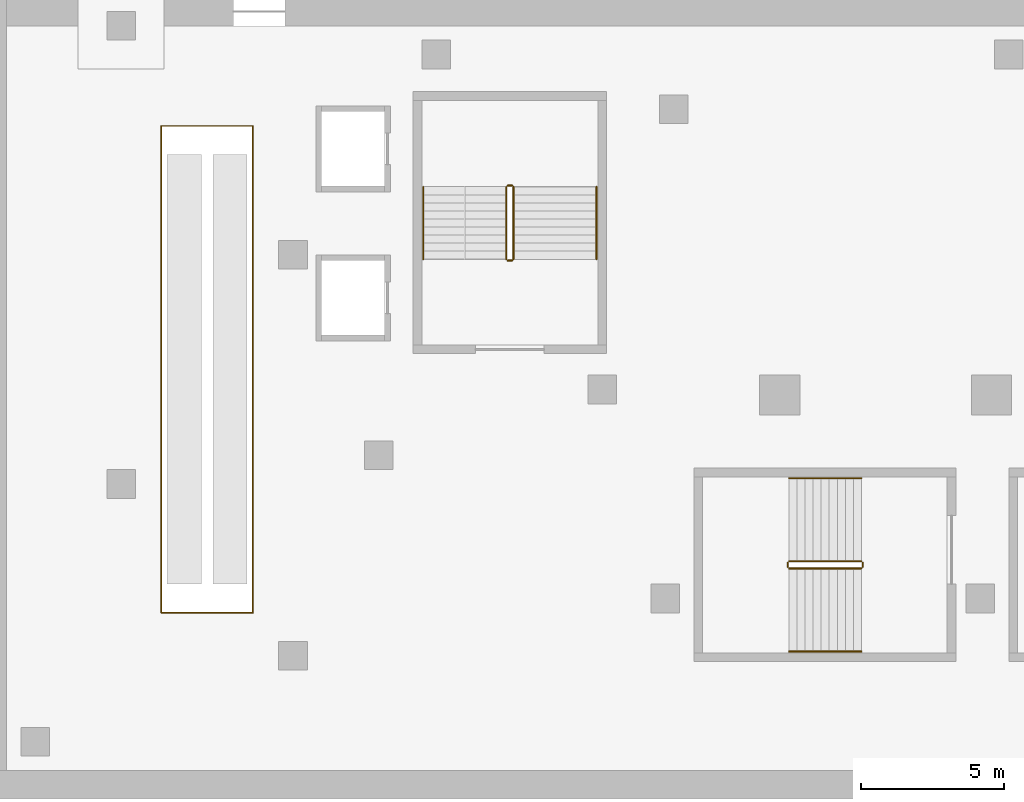
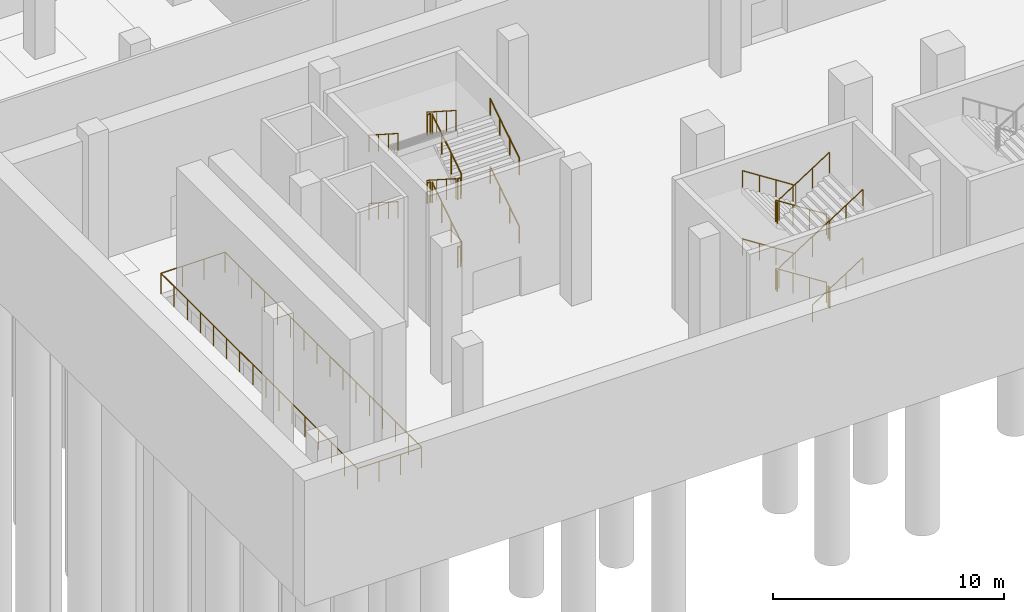
# One storey, part 11 of 15: 25 railings.
"""IFC4 building model written with IfcOpenShell, lengths in metres."""

from ifc_helpers import new_model, si_unit, direction, frame, origin, origin_2d, place, context, subcontext, project, spatial, circle, extrude, material, type_object, element, save


model = new_model("IFC4")

# Units and contexts
model_context = context("Model", 3, precision=1e-05, world=origin(), true_north=direction((0.0, 1.0)))
body_context = subcontext(model_context, "Body", "Model", "MODEL_VIEW")
ifc_project = project(units=[si_unit("LENGTHUNIT", "METRE"), si_unit("AREAUNIT", "SQUARE_METRE"), si_unit("VOLUMEUNIT", "CUBIC_METRE"), si_unit("PLANEANGLEUNIT", "RADIAN"), si_unit("MASSUNIT", "GRAM", prefix="KILO")], contexts=[model_context])

# Site, building, storey
site_placement = place(None, origin())
site = spatial("IfcSite", under=ifc_project, at=site_placement, CompositionType="ELEMENT")
building_placement = place(site_placement, origin())
building = spatial("IfcBuilding", under=site, at=building_placement, Name="Wharfspan Tower", CompositionType="ELEMENT")
storey_placement = place(building_placement, frame((0.0, 0.0, -7.199951)))
storey = spatial("IfcBuildingStorey", under=building, at=storey_placement, Name="B1", CompositionType="ELEMENT", Elevation=-7.199951)

# Railings
ifc_material = material(Name="Steel S355J2", Category="steel")
railing_type_1 = type_object("IfcRailingType", Name="Podium guard 1100", PredefinedType="GUARDRAIL", material=ifc_material)
railing_1_placement = place(storey_placement, frame((14.850098, -27.699951, 0.179932)))
element("IfcRailing", 1, at=railing_1_placement, inside=storey, type_object=railing_type_1, Name="B1 SB1 stair guard 1", PredefinedType="GUARDRAIL", context=body_context, shape_type="SweptSolid", body=[
    extrude(circle(Radius=0.023926, at=origin_2d()), frame((0.0, 0.0, 1.076172), z_axis=(-0.841163, 0.0, 0.540782), x_axis=(0.0, -1.0, 0.0)), (0.0, 0.0, 1.0), 2.99585),
    extrude(circle(Radius=0.020996, at=origin_2d()), origin(), (0.0, 0.0, 1.0), 1.052002),
    extrude(circle(Radius=0.020996, at=origin_2d()), frame((-0.840088, 0.0, 0.540039)), (0.0, 0.0, 1.0), 1.052002),
    extrude(circle(Radius=0.020996, at=origin_2d()), frame((-1.679932, 0.0, 1.080078)), (0.0, 0.0, 1.0), 1.052002),
    extrude(circle(Radius=0.020996, at=origin_2d()), frame((-2.52002, 0.0, 1.620117)), (0.0, 0.0, 1.0), 1.052002),
])
railing_2_placement = place(storey_placement, frame((12.280029, -27.75, 1.800049)))
element("IfcRailing", 2, at=railing_2_placement, inside=storey, type_object=railing_type_1, Name="B1 SB1 stair guard 2", PredefinedType="GUARDRAIL", context=body_context, shape_type="SweptSolid", body=[
    extrude(circle(Radius=0.023926, at=origin_2d()), frame((0.0, 0.0, 1.076172), z_axis=(0.0, -1.0, 0.0), x_axis=(1.0, 0.0, 0.0)), (0.0, 0.0, 1.0), 0.149902),
    extrude(circle(Radius=0.020996, at=origin_2d()), origin(), (0.0, 0.0, 1.0), 1.052002),
    extrude(circle(Radius=0.020996, at=origin_2d()), frame((0.0, -0.149902, 0.0)), (0.0, 0.0, 1.0), 1.052002),
])
railing_3_placement = place(storey_placement, frame((12.330078, -27.949951, 1.97998)))
element("IfcRailing", 3, at=railing_3_placement, inside=storey, type_object=railing_type_1, Name="B1 SB1 stair guard 3", PredefinedType="GUARDRAIL", context=body_context, shape_type="SweptSolid", body=[
    extrude(circle(Radius=0.023926, at=origin_2d()), frame((0.0, 0.0, 1.076172), z_axis=(0.8412, 0.0, 0.540725), x_axis=(0.0, 1.0, 0.0)), (0.0, 0.0, 1.0), 2.99585),
    extrude(circle(Radius=0.020996, at=origin_2d()), origin(), (0.0, 0.0, 1.0), 1.052002),
    extrude(circle(Radius=0.020996, at=origin_2d()), frame((0.840088, 0.0, 0.540039)), (0.0, 0.0, 1.0), 1.052002),
    extrude(circle(Radius=0.020996, at=origin_2d()), frame((1.679932, 0.0, 1.079834)), (0.0, 0.0, 1.0), 1.052002),
    extrude(circle(Radius=0.020996, at=origin_2d()), frame((2.52002, 0.0, 1.619873)), (0.0, 0.0, 1.0), 1.052002),
])
railing_4_placement = place(storey_placement, frame((14.899902, -27.75, 3.599854)))
element("IfcRailing", 4, at=railing_4_placement, inside=storey, type_object=railing_type_1, Name="B1 SB1 stair guard 4", PredefinedType="GUARDRAIL", context=body_context, shape_type="SweptSolid", body=[
    extrude(circle(Radius=0.023926, at=origin_2d()), frame((0.0, 0.0, 1.076172), z_axis=(0.0, -1.0, 0.0), x_axis=(1.0, 0.0, 0.0)), (0.0, 0.0, 1.0), 0.149902),
    extrude(circle(Radius=0.020996, at=origin_2d()), origin(), (0.0, 0.0, 1.0), 1.052002),
    extrude(circle(Radius=0.020996, at=origin_2d()), frame((0.0, -0.149902, 0.0)), (0.0, 0.0, 1.0), 1.052002),
])
railing_5_placement = place(storey_placement, frame((14.850098, -27.699951, 3.780029)))
element("IfcRailing", 5, at=railing_5_placement, inside=storey, type_object=railing_type_1, Name="B1 SB1 stair guard 5", PredefinedType="GUARDRAIL", context=body_context, shape_type="SweptSolid", body=[
    extrude(circle(Radius=0.023926, at=origin_2d()), frame((0.0, 0.0, 1.076172), z_axis=(-0.8412, 0.0, 0.540725), x_axis=(0.0, -1.0, 0.0)), (0.0, 0.0, 1.0), 2.99585),
    extrude(circle(Radius=0.020996, at=origin_2d()), origin(), (0.0, 0.0, 1.0), 1.052002),
    extrude(circle(Radius=0.020996, at=origin_2d()), frame((-0.840088, 0.0, 0.540039)), (0.0, 0.0, 1.0), 1.052002),
    extrude(circle(Radius=0.020996, at=origin_2d()), frame((-1.679932, 0.0, 1.079834)), (0.0, 0.0, 1.0), 1.052002),
    extrude(circle(Radius=0.020996, at=origin_2d()), frame((-2.52002, 0.0, 1.619873)), (0.0, 0.0, 1.0), 1.052002),
])
railing_6_placement = place(storey_placement, frame((12.280029, -27.75, 5.399902)))
element("IfcRailing", 6, at=railing_6_placement, inside=storey, type_object=railing_type_1, Name="B1 SB1 stair guard 6", PredefinedType="GUARDRAIL", context=body_context, shape_type="SweptSolid", body=[
    extrude(circle(Radius=0.023926, at=origin_2d()), frame((0.0, 0.0, 1.076172), z_axis=(0.0, -1.0, 0.0), x_axis=(1.0, 0.0, 0.0)), (0.0, 0.0, 1.0), 0.149902),
    extrude(circle(Radius=0.020996, at=origin_2d()), origin(), (0.0, 0.0, 1.0), 1.052002),
    extrude(circle(Radius=0.020996, at=origin_2d()), frame((0.0, -0.149902, 0.0)), (0.0, 0.0, 1.0), 1.052002),
])
railing_7_placement = place(storey_placement, frame((12.330078, -27.949951, 5.579834)))
element("IfcRailing", 7, at=railing_7_placement, inside=storey, type_object=railing_type_1, Name="B1 SB1 stair guard 7", PredefinedType="GUARDRAIL", context=body_context, shape_type="SweptSolid", body=[
    extrude(circle(Radius=0.023926, at=origin_2d()), frame((0.0, 0.0, 1.076172), z_axis=(0.841163, 0.0, 0.540782), x_axis=(0.0, 1.0, 0.0)), (0.0, 0.0, 1.0), 2.99585),
    extrude(circle(Radius=0.020996, at=origin_2d()), origin(), (0.0, 0.0, 1.0), 1.052002),
    extrude(circle(Radius=0.020996, at=origin_2d()), frame((0.840088, 0.0, 0.540039)), (0.0, 0.0, 1.0), 1.052002),
    extrude(circle(Radius=0.020996, at=origin_2d()), frame((1.679932, 0.0, 1.080078)), (0.0, 0.0, 1.0), 1.052002),
    extrude(circle(Radius=0.020996, at=origin_2d()), frame((2.52002, 0.0, 1.620117)), (0.0, 0.0, 1.0), 1.052002),
])
railing_8_placement = place(storey_placement, frame((14.899902, -27.75, 0.0)))
element("IfcRailing", 8, at=railing_8_placement, inside=storey, type_object=railing_type_1, Name="B1 SB1 stair guard 8", PredefinedType="GUARDRAIL", context=body_context, shape_type="SweptSolid", body=[
    extrude(circle(Radius=0.023926, at=origin_2d()), frame((0.0, 0.0, 1.076172), z_axis=(0.0, -1.0, 0.0), x_axis=(1.0, 0.0, 0.0)), (0.0, 0.0, 1.0), 0.149902),
    extrude(circle(Radius=0.020996, at=origin_2d()), origin(), (0.0, 0.0, 1.0), 1.052002),
    extrude(circle(Radius=0.020996, at=origin_2d()), frame((0.0, -0.149902, 0.0)), (0.0, 0.0, 1.0), 1.052002),
])
railing_9_placement = place(storey_placement, frame((2.699951, -17.149902, 0.179932)))
element("IfcRailing", 9, at=railing_9_placement, inside=storey, type_object=railing_type_1, Name="B1 SB6 stair guard 1", PredefinedType="GUARDRAIL", context=body_context, shape_type="SweptSolid", body=[
    extrude(circle(Radius=0.023926, at=origin_2d()), frame((0.0, 0.0, 1.076172), z_axis=(0.0, 0.841163, 0.540782), x_axis=(-1.0, 0.0, 0.0)), (0.0, 0.0, 1.0), 2.99585),
    extrude(circle(Radius=0.020996, at=origin_2d()), origin(), (0.0, 0.0, 1.0), 1.052002),
    extrude(circle(Radius=0.020996, at=origin_2d()), frame((0.0, 0.840088, 0.540039)), (0.0, 0.0, 1.0), 1.052002),
    extrude(circle(Radius=0.020996, at=origin_2d()), frame((0.0, 1.679932, 1.080078)), (0.0, 0.0, 1.0), 1.052002),
    extrude(circle(Radius=0.020996, at=origin_2d()), frame((0.0, 2.52002, 1.620117)), (0.0, 0.0, 1.0), 1.052002),
])
railing_10_placement = place(storey_placement, frame((2.649902, -14.580078, 1.800049)))
element("IfcRailing", 10, at=railing_10_placement, inside=storey, type_object=railing_type_1, Name="B1 SB6 stair guard 2", PredefinedType="GUARDRAIL", context=body_context, shape_type="SweptSolid", body=[
    extrude(circle(Radius=0.023926, at=origin_2d()), frame((0.0, 0.0, 1.076172), z_axis=(-1.0, 0.0, 0.0), x_axis=(0.0, -1.0, 0.0)), (0.0, 0.0, 1.0), 0.149902),
    extrude(circle(Radius=0.020996, at=origin_2d()), origin(), (0.0, 0.0, 1.0), 1.052002),
    extrude(circle(Radius=0.020996, at=origin_2d()), frame((-0.149902, 0.0, 0.0)), (0.0, 0.0, 1.0), 1.052002),
])
railing_11_placement = place(storey_placement, frame((2.449951, -14.629883, 1.97998)))
element("IfcRailing", 11, at=railing_11_placement, inside=storey, type_object=railing_type_1, Name="B1 SB6 stair guard 3", PredefinedType="GUARDRAIL", context=body_context, shape_type="SweptSolid", body=[
    extrude(circle(Radius=0.023926, at=origin_2d()), frame((0.0, 0.0, 1.076172), z_axis=(0.0, -0.8412, 0.540725), x_axis=(1.0, 0.0, 0.0)), (0.0, 0.0, 1.0), 2.99585),
    extrude(circle(Radius=0.020996, at=origin_2d()), origin(), (0.0, 0.0, 1.0), 1.052002),
    extrude(circle(Radius=0.020996, at=origin_2d()), frame((0.0, -0.840088, 0.540039)), (0.0, 0.0, 1.0), 1.052002),
    extrude(circle(Radius=0.020996, at=origin_2d()), frame((0.0, -1.679932, 1.079834)), (0.0, 0.0, 1.0), 1.052002),
    extrude(circle(Radius=0.020996, at=origin_2d()), frame((0.0, -2.52002, 1.619873)), (0.0, 0.0, 1.0), 1.052002),
])
railing_12_placement = place(storey_placement, frame((2.649902, -17.199951, 3.599854)))
element("IfcRailing", 12, at=railing_12_placement, inside=storey, type_object=railing_type_1, Name="B1 SB6 stair guard 4", PredefinedType="GUARDRAIL", context=body_context, shape_type="SweptSolid", body=[
    extrude(circle(Radius=0.023926, at=origin_2d()), frame((0.0, 0.0, 1.076172), z_axis=(-1.0, 0.0, 0.0), x_axis=(0.0, -1.0, 0.0)), (0.0, 0.0, 1.0), 0.149902),
    extrude(circle(Radius=0.020996, at=origin_2d()), origin(), (0.0, 0.0, 1.0), 1.052002),
    extrude(circle(Radius=0.020996, at=origin_2d()), frame((-0.149902, 0.0, 0.0)), (0.0, 0.0, 1.0), 1.052002),
])
railing_13_placement = place(storey_placement, frame((2.699951, -17.149902, 3.780029)))
element("IfcRailing", 13, at=railing_13_placement, inside=storey, type_object=railing_type_1, Name="B1 SB6 stair guard 5", PredefinedType="GUARDRAIL", context=body_context, shape_type="SweptSolid", body=[
    extrude(circle(Radius=0.023926, at=origin_2d()), frame((0.0, 0.0, 1.076172), z_axis=(0.0, 0.8412, 0.540725), x_axis=(-1.0, 0.0, 0.0)), (0.0, 0.0, 1.0), 2.99585),
    extrude(circle(Radius=0.020996, at=origin_2d()), origin(), (0.0, 0.0, 1.0), 1.052002),
    extrude(circle(Radius=0.020996, at=origin_2d()), frame((0.0, 0.840088, 0.540039)), (0.0, 0.0, 1.0), 1.052002),
    extrude(circle(Radius=0.020996, at=origin_2d()), frame((0.0, 1.679932, 1.079834)), (0.0, 0.0, 1.0), 1.052002),
    extrude(circle(Radius=0.020996, at=origin_2d()), frame((0.0, 2.52002, 1.619873)), (0.0, 0.0, 1.0), 1.052002),
])
railing_14_placement = place(storey_placement, frame((2.649902, -14.580078, 5.399902)))
element("IfcRailing", 14, at=railing_14_placement, inside=storey, type_object=railing_type_1, Name="B1 SB6 stair guard 6", PredefinedType="GUARDRAIL", context=body_context, shape_type="SweptSolid", body=[
    extrude(circle(Radius=0.023926, at=origin_2d()), frame((0.0, 0.0, 1.076172), z_axis=(-1.0, 0.0, 0.0), x_axis=(0.0, -1.0, 0.0)), (0.0, 0.0, 1.0), 0.149902),
    extrude(circle(Radius=0.020996, at=origin_2d()), origin(), (0.0, 0.0, 1.0), 1.052002),
    extrude(circle(Radius=0.020996, at=origin_2d()), frame((-0.149902, 0.0, 0.0)), (0.0, 0.0, 1.0), 1.052002),
])
railing_15_placement = place(storey_placement, frame((2.449951, -14.629883, 5.579834)))
element("IfcRailing", 15, at=railing_15_placement, inside=storey, type_object=railing_type_1, Name="B1 SB6 stair guard 7", PredefinedType="GUARDRAIL", context=body_context, shape_type="SweptSolid", body=[
    extrude(circle(Radius=0.023926, at=origin_2d()), frame((0.0, 0.0, 1.076172), z_axis=(0.0, -0.841163, 0.540782), x_axis=(1.0, 0.0, 0.0)), (0.0, 0.0, 1.0), 2.99585),
    extrude(circle(Radius=0.020996, at=origin_2d()), origin(), (0.0, 0.0, 1.0), 1.052002),
    extrude(circle(Radius=0.020996, at=origin_2d()), frame((0.0, -0.840088, 0.540039)), (0.0, 0.0, 1.0), 1.052002),
    extrude(circle(Radius=0.020996, at=origin_2d()), frame((0.0, -1.679932, 1.080078)), (0.0, 0.0, 1.0), 1.052002),
    extrude(circle(Radius=0.020996, at=origin_2d()), frame((0.0, -2.52002, 1.620117)), (0.0, 0.0, 1.0), 1.052002),
])
railing_16_placement = place(storey_placement, frame((2.649902, -17.199951, 0.0)))
element("IfcRailing", 16, at=railing_16_placement, inside=storey, type_object=railing_type_1, Name="B1 SB6 stair guard 8", PredefinedType="GUARDRAIL", context=body_context, shape_type="SweptSolid", body=[
    extrude(circle(Radius=0.023926, at=origin_2d()), frame((0.0, 0.0, 1.076172), z_axis=(-1.0, 0.0, 0.0), x_axis=(0.0, -1.0, 0.0)), (0.0, 0.0, 1.0), 0.149902),
    extrude(circle(Radius=0.020996, at=origin_2d()), origin(), (0.0, 0.0, 1.0), 1.052002),
    extrude(circle(Radius=0.020996, at=origin_2d()), frame((-0.149902, 0.0, 0.0)), (0.0, 0.0, 1.0), 1.052002),
])
railing_17_placement = place(storey_placement, frame((-9.600098, -29.5, 0.0)))
element("IfcRailing", 17, at=railing_17_placement, inside=storey, type_object=railing_type_1, Name="B1 escalator void guard", PredefinedType="GUARDRAIL", context=body_context, shape_type="SweptSolid", body=[
    extrude(circle(Radius=0.023926, at=origin_2d()), frame((0.0, 0.0, 1.076172), z_axis=(0.0, 1.0, 0.0), x_axis=(-1.0, 0.0, 0.0)), (0.0, 0.0, 1.0), 17.0),
    extrude(circle(Radius=0.023926, at=origin_2d()), frame((0.0, 17.0, 1.076172), z_axis=(1.0, 0.0, 0.0), x_axis=(0.0, 1.0, 0.0)), (0.0, 0.0, 1.0), 3.200195),
    extrude(circle(Radius=0.023926, at=origin_2d()), frame((3.200195, 17.0, 1.076172), z_axis=(0.0, -1.0, 0.0), x_axis=(1.0, 0.0, 0.0)), (0.0, 0.0, 1.0), 17.0),
    extrude(circle(Radius=0.023926, at=origin_2d()), frame((3.200195, 0.0, 1.076172), z_axis=(-1.0, 0.0, 0.0), x_axis=(0.0, -1.0, 0.0)), (0.0, 0.0, 1.0), 3.200195),
    extrude(circle(Radius=0.020996, at=origin_2d()), origin(), (0.0, 0.0, 1.0), 1.052002),
    extrude(circle(Radius=0.020996, at=origin_2d()), frame((0.0, 1.133301, 0.0)), (0.0, 0.0, 1.0), 1.052002),
    extrude(circle(Radius=0.020996, at=origin_2d()), frame((0.0, 2.266602, 0.0)), (0.0, 0.0, 1.0), 1.052002),
    extrude(circle(Radius=0.020996, at=origin_2d()), frame((0.0, 3.399902, 0.0)), (0.0, 0.0, 1.0), 1.052002),
    extrude(circle(Radius=0.020996, at=origin_2d()), frame((0.0, 4.533447, 0.0)), (0.0, 0.0, 1.0), 1.052002),
    extrude(circle(Radius=0.020996, at=origin_2d()), frame((0.0, 5.666748, 0.0)), (0.0, 0.0, 1.0), 1.052002),
    extrude(circle(Radius=0.020996, at=origin_2d()), frame((0.0, 6.800049, 0.0)), (0.0, 0.0, 1.0), 1.052002),
    extrude(circle(Radius=0.020996, at=origin_2d()), frame((0.0, 7.93335, 0.0)), (0.0, 0.0, 1.0), 1.052002),
    extrude(circle(Radius=0.020996, at=origin_2d()), frame((0.0, 9.06665, 0.0)), (0.0, 0.0, 1.0), 1.052002),
    extrude(circle(Radius=0.020996, at=origin_2d()), frame((0.0, 10.199951, 0.0)), (0.0, 0.0, 1.0), 1.052002),
    extrude(circle(Radius=0.020996, at=origin_2d()), frame((0.0, 11.333252, 0.0)), (0.0, 0.0, 1.0), 1.052002),
    extrude(circle(Radius=0.020996, at=origin_2d()), frame((0.0, 12.466553, 0.0)), (0.0, 0.0, 1.0), 1.052002),
    extrude(circle(Radius=0.020996, at=origin_2d()), frame((0.0, 13.600098, 0.0)), (0.0, 0.0, 1.0), 1.052002),
    extrude(circle(Radius=0.020996, at=origin_2d()), frame((0.0, 14.733398, 0.0)), (0.0, 0.0, 1.0), 1.052002),
    extrude(circle(Radius=0.020996, at=origin_2d()), frame((0.0, 15.866699, 0.0)), (0.0, 0.0, 1.0), 1.052002),
    extrude(circle(Radius=0.020996, at=origin_2d()), frame((0.0, 17.0, 0.0)), (0.0, 0.0, 1.0), 1.052002),
    extrude(circle(Radius=0.020996, at=origin_2d()), frame((1.06665, 17.0, 0.0)), (0.0, 0.0, 1.0), 1.052002),
    extrude(circle(Radius=0.020996, at=origin_2d()), frame((2.133545, 17.0, 0.0)), (0.0, 0.0, 1.0), 1.052002),
    extrude(circle(Radius=0.020996, at=origin_2d()), frame((3.200195, 17.0, 0.0)), (0.0, 0.0, 1.0), 1.052002),
    extrude(circle(Radius=0.020996, at=origin_2d()), frame((3.200195, 15.866699, 0.0)), (0.0, 0.0, 1.0), 1.052002),
    extrude(circle(Radius=0.020996, at=origin_2d()), frame((3.200195, 14.733398, 0.0)), (0.0, 0.0, 1.0), 1.052002),
    extrude(circle(Radius=0.020996, at=origin_2d()), frame((3.200195, 13.600098, 0.0)), (0.0, 0.0, 1.0), 1.052002),
    extrude(circle(Radius=0.020996, at=origin_2d()), frame((3.200195, 12.466553, 0.0)), (0.0, 0.0, 1.0), 1.052002),
    extrude(circle(Radius=0.020996, at=origin_2d()), frame((3.200195, 11.333252, 0.0)), (0.0, 0.0, 1.0), 1.052002),
    extrude(circle(Radius=0.020996, at=origin_2d()), frame((3.200195, 10.199951, 0.0)), (0.0, 0.0, 1.0), 1.052002),
    extrude(circle(Radius=0.020996, at=origin_2d()), frame((3.200195, 9.06665, 0.0)), (0.0, 0.0, 1.0), 1.052002),
    extrude(circle(Radius=0.020996, at=origin_2d()), frame((3.200195, 7.93335, 0.0)), (0.0, 0.0, 1.0), 1.052002),
    extrude(circle(Radius=0.020996, at=origin_2d()), frame((3.200195, 6.800049, 0.0)), (0.0, 0.0, 1.0), 1.052002),
    extrude(circle(Radius=0.020996, at=origin_2d()), frame((3.200195, 5.666748, 0.0)), (0.0, 0.0, 1.0), 1.052002),
    extrude(circle(Radius=0.020996, at=origin_2d()), frame((3.200195, 4.533447, 0.0)), (0.0, 0.0, 1.0), 1.052002),
    extrude(circle(Radius=0.020996, at=origin_2d()), frame((3.200195, 3.399902, 0.0)), (0.0, 0.0, 1.0), 1.052002),
    extrude(circle(Radius=0.020996, at=origin_2d()), frame((3.200195, 2.266602, 0.0)), (0.0, 0.0, 1.0), 1.052002),
    extrude(circle(Radius=0.020996, at=origin_2d()), frame((3.200195, 1.133301, 0.0)), (0.0, 0.0, 1.0), 1.052002),
    extrude(circle(Radius=0.020996, at=origin_2d()), frame((3.200195, 0.0, 0.0)), (0.0, 0.0, 1.0), 1.052002),
    extrude(circle(Radius=0.020996, at=origin_2d()), frame((2.133545, 0.0, 0.0)), (0.0, 0.0, 1.0), 1.052002),
    extrude(circle(Radius=0.020996, at=origin_2d()), frame((1.06665, 0.0, 0.0)), (0.0, 0.0, 1.0), 1.052002),
])
railing_type_2 = type_object("IfcRailingType", Name="Podium stair handrail 900", PredefinedType="HANDRAIL", material=ifc_material)
railing_18_placement = place(storey_placement, frame((14.850098, -24.800049, 0.179932)))
element("IfcRailing", 18, at=railing_18_placement, inside=storey, type_object=railing_type_2, Name="B1 SB1 stair handrail 1", PredefinedType="HANDRAIL", context=body_context, shape_type="SweptSolid", body=[
    extrude(circle(Radius=0.023926, at=origin_2d()), frame((0.0, 0.0, 0.875977), z_axis=(-0.841163, 0.0, 0.540782), x_axis=(0.0, -1.0, 0.0)), (0.0, 0.0, 1.0), 2.99585),
    extrude(circle(Radius=0.020996, at=origin_2d()), origin(), (0.0, 0.0, 1.0), 0.851807),
    extrude(circle(Radius=0.020996, at=origin_2d()), frame((-0.840088, 0.0, 0.540039)), (0.0, 0.0, 1.0), 0.851807),
    extrude(circle(Radius=0.020996, at=origin_2d()), frame((-1.679932, 0.0, 1.080078)), (0.0, 0.0, 1.0), 0.851807),
    extrude(circle(Radius=0.020996, at=origin_2d()), frame((-2.52002, 0.0, 1.620117)), (0.0, 0.0, 1.0), 0.851807),
])
railing_19_placement = place(storey_placement, frame((12.330078, -30.850098, 1.97998)))
element("IfcRailing", 19, at=railing_19_placement, inside=storey, type_object=railing_type_2, Name="B1 SB1 stair handrail 2", PredefinedType="HANDRAIL", context=body_context, shape_type="SweptSolid", body=[
    extrude(circle(Radius=0.023926, at=origin_2d()), frame((0.0, 0.0, 0.875977), z_axis=(0.8412, 0.0, 0.540725), x_axis=(0.0, 1.0, 0.0)), (0.0, 0.0, 1.0), 2.99585),
    extrude(circle(Radius=0.020996, at=origin_2d()), origin(), (0.0, 0.0, 1.0), 0.851807),
    extrude(circle(Radius=0.020996, at=origin_2d()), frame((0.840088, 0.0, 0.540039)), (0.0, 0.0, 1.0), 0.851807),
    extrude(circle(Radius=0.020996, at=origin_2d()), frame((1.679932, 0.0, 1.079834)), (0.0, 0.0, 1.0), 0.851807),
    extrude(circle(Radius=0.020996, at=origin_2d()), frame((2.52002, 0.0, 1.619873)), (0.0, 0.0, 1.0), 0.851807),
])
railing_20_placement = place(storey_placement, frame((14.850098, -24.800049, 3.780029)))
element("IfcRailing", 20, at=railing_20_placement, inside=storey, type_object=railing_type_2, Name="B1 SB1 stair handrail 3", PredefinedType="HANDRAIL", context=body_context, shape_type="SweptSolid", body=[
    extrude(circle(Radius=0.023926, at=origin_2d()), frame((0.0, 0.0, 0.875977), z_axis=(-0.8412, 0.0, 0.540725), x_axis=(0.0, -1.0, 0.0)), (0.0, 0.0, 1.0), 2.99585),
    extrude(circle(Radius=0.020996, at=origin_2d()), origin(), (0.0, 0.0, 1.0), 0.851807),
    extrude(circle(Radius=0.020996, at=origin_2d()), frame((-0.840088, 0.0, 0.540039)), (0.0, 0.0, 1.0), 0.851807),
    extrude(circle(Radius=0.020996, at=origin_2d()), frame((-1.679932, 0.0, 1.079834)), (0.0, 0.0, 1.0), 0.851807),
    extrude(circle(Radius=0.020996, at=origin_2d()), frame((-2.52002, 0.0, 1.619873)), (0.0, 0.0, 1.0), 0.851807),
])
railing_21_placement = place(storey_placement, frame((12.330078, -30.850098, 5.579834)))
element("IfcRailing", 21, at=railing_21_placement, inside=storey, type_object=railing_type_2, Name="B1 SB1 stair handrail 4", PredefinedType="HANDRAIL", context=body_context, shape_type="SweptSolid", body=[
    extrude(circle(Radius=0.023926, at=origin_2d()), frame((0.0, 0.0, 0.875977), z_axis=(0.841163, 0.0, 0.540782), x_axis=(0.0, 1.0, 0.0)), (0.0, 0.0, 1.0), 2.99585),
    extrude(circle(Radius=0.020996, at=origin_2d()), origin(), (0.0, 0.0, 1.0), 0.851807),
    extrude(circle(Radius=0.020996, at=origin_2d()), frame((0.840088, 0.0, 0.540039)), (0.0, 0.0, 1.0), 0.851807),
    extrude(circle(Radius=0.020996, at=origin_2d()), frame((1.679932, 0.0, 1.080078)), (0.0, 0.0, 1.0), 0.851807),
    extrude(circle(Radius=0.020996, at=origin_2d()), frame((2.52002, 0.0, 1.620117)), (0.0, 0.0, 1.0), 0.851807),
])
railing_22_placement = place(storey_placement, frame((5.600098, -17.149902, 0.179932)))
element("IfcRailing", 22, at=railing_22_placement, inside=storey, type_object=railing_type_2, Name="B1 SB6 stair handrail 1", PredefinedType="HANDRAIL", context=body_context, shape_type="SweptSolid", body=[
    extrude(circle(Radius=0.023926, at=origin_2d()), frame((0.0, 0.0, 0.875977), z_axis=(0.0, 0.841163, 0.540782), x_axis=(-1.0, 0.0, 0.0)), (0.0, 0.0, 1.0), 2.99585),
    extrude(circle(Radius=0.020996, at=origin_2d()), origin(), (0.0, 0.0, 1.0), 0.851807),
    extrude(circle(Radius=0.020996, at=origin_2d()), frame((0.0, 0.840088, 0.540039)), (0.0, 0.0, 1.0), 0.851807),
    extrude(circle(Radius=0.020996, at=origin_2d()), frame((0.0, 1.679932, 1.080078)), (0.0, 0.0, 1.0), 0.851807),
    extrude(circle(Radius=0.020996, at=origin_2d()), frame((0.0, 2.52002, 1.620117)), (0.0, 0.0, 1.0), 0.851807),
])
railing_23_placement = place(storey_placement, frame((-0.449951, -14.629883, 1.97998)))
element("IfcRailing", 23, at=railing_23_placement, inside=storey, type_object=railing_type_2, Name="B1 SB6 stair handrail 2", PredefinedType="HANDRAIL", context=body_context, shape_type="SweptSolid", body=[
    extrude(circle(Radius=0.023926, at=origin_2d()), frame((0.0, 0.0, 0.875977), z_axis=(0.0, -0.8412, 0.540725), x_axis=(1.0, 0.0, 0.0)), (0.0, 0.0, 1.0), 2.99585),
    extrude(circle(Radius=0.020996, at=origin_2d()), origin(), (0.0, 0.0, 1.0), 0.851807),
    extrude(circle(Radius=0.020996, at=origin_2d()), frame((0.0, -0.840088, 0.540039)), (0.0, 0.0, 1.0), 0.851807),
    extrude(circle(Radius=0.020996, at=origin_2d()), frame((0.0, -1.679932, 1.079834)), (0.0, 0.0, 1.0), 0.851807),
    extrude(circle(Radius=0.020996, at=origin_2d()), frame((0.0, -2.52002, 1.619873)), (0.0, 0.0, 1.0), 0.851807),
])
railing_24_placement = place(storey_placement, frame((5.600098, -17.149902, 3.780029)))
element("IfcRailing", 24, at=railing_24_placement, inside=storey, type_object=railing_type_2, Name="B1 SB6 stair handrail 3", PredefinedType="HANDRAIL", context=body_context, shape_type="SweptSolid", body=[
    extrude(circle(Radius=0.023926, at=origin_2d()), frame((0.0, 0.0, 0.875977), z_axis=(0.0, 0.8412, 0.540725), x_axis=(-1.0, 0.0, 0.0)), (0.0, 0.0, 1.0), 2.99585),
    extrude(circle(Radius=0.020996, at=origin_2d()), origin(), (0.0, 0.0, 1.0), 0.851807),
    extrude(circle(Radius=0.020996, at=origin_2d()), frame((0.0, 0.840088, 0.540039)), (0.0, 0.0, 1.0), 0.851807),
    extrude(circle(Radius=0.020996, at=origin_2d()), frame((0.0, 1.679932, 1.079834)), (0.0, 0.0, 1.0), 0.851807),
    extrude(circle(Radius=0.020996, at=origin_2d()), frame((0.0, 2.52002, 1.619873)), (0.0, 0.0, 1.0), 0.851807),
])
railing_25_placement = place(storey_placement, frame((-0.449951, -14.629883, 5.579834)))
element("IfcRailing", 25, at=railing_25_placement, inside=storey, type_object=railing_type_2, Name="B1 SB6 stair handrail 4", PredefinedType="HANDRAIL", context=body_context, shape_type="SweptSolid", body=[
    extrude(circle(Radius=0.023926, at=origin_2d()), frame((0.0, 0.0, 0.875977), z_axis=(0.0, -0.841163, 0.540782), x_axis=(1.0, 0.0, 0.0)), (0.0, 0.0, 1.0), 2.99585),
    extrude(circle(Radius=0.020996, at=origin_2d()), origin(), (0.0, 0.0, 1.0), 0.851807),
    extrude(circle(Radius=0.020996, at=origin_2d()), frame((0.0, -0.840088, 0.540039)), (0.0, 0.0, 1.0), 0.851807),
    extrude(circle(Radius=0.020996, at=origin_2d()), frame((0.0, -1.679932, 1.080078)), (0.0, 0.0, 1.0), 0.851807),
    extrude(circle(Radius=0.020996, at=origin_2d()), frame((0.0, -2.52002, 1.620117)), (0.0, 0.0, 1.0), 0.851807),
])

save(model, "model.ifc")
